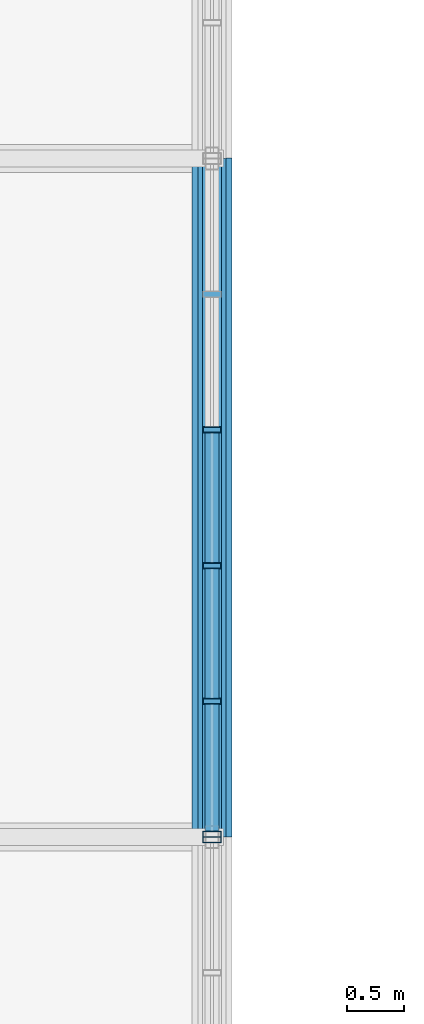
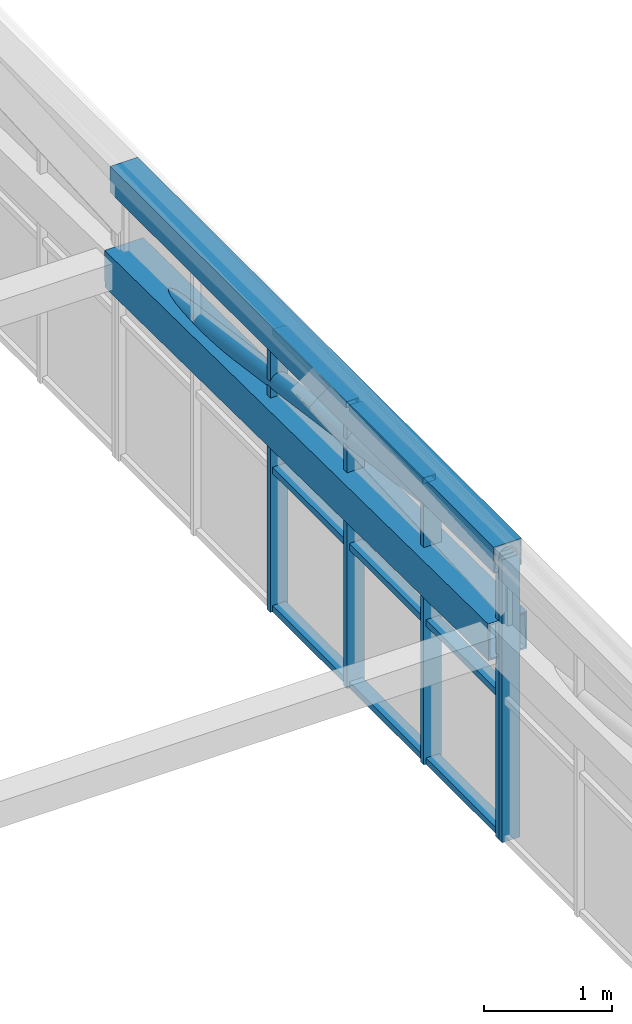
# One storey, part 234 of 324: 17 members, 2 elements without a shape of their own.
"""IFC4 building model written with IfcOpenShell, lengths in metres."""

from ifc_helpers import new_model, si_unit, direction, frame, origin, origin_2d, place, context, subcontext, project, spatial, hollow_rectangle, hollow_circle, extrude, material, layer, layer_set, material_profile, profile_set, type_object, element, aggregate, save


model = new_model("IFC4")

# Units and contexts
model_context = context("Model", 3, precision=1e-05, world=origin(), true_north=direction((0.0, 1.0)))
body_context = subcontext(model_context, "Body", "Model", "MODEL_VIEW")
ifc_project = project(units=[si_unit("LENGTHUNIT", "METRE"), si_unit("AREAUNIT", "SQUARE_METRE"), si_unit("VOLUMEUNIT", "CUBIC_METRE"), si_unit("PLANEANGLEUNIT", "RADIAN"), si_unit("MASSUNIT", "GRAM", prefix="KILO")], contexts=[model_context])

# Site, building, storey
site_placement = place(None, origin())
site = spatial("IfcSite", under=ifc_project, at=site_placement, CompositionType="ELEMENT")
building_placement = place(site_placement, origin())
building = spatial("IfcBuilding", under=site, at=building_placement, Name="Solvenia Promenade Tram Depot", CompositionType="ELEMENT")
storey_placement = place(building_placement, frame((0.0, 0.0, 4.5)))
storey = spatial("IfcBuildingStorey", under=building, at=storey_placement, Name="L01", CompositionType="ELEMENT", Elevation=4.5)

# Curtain wall, member
ifc_material_1 = material(Name="Anodized aluminium AW-6063 T6", Category="aluminium")
ifc_layer = layer(ifc_material_1, 0.159912109375, Name="Anodized aluminium AW-6063 T6", Category="aluminium")
ifc_layer_set = layer_set([ifc_layer], Name="Anodized aluminium AW-6063 T6")
curtain_wall_type = type_object("IfcCurtainWallType", Name="CW-Channel-1200", PredefinedType="NOTDEFINED", material=ifc_layer_set)
curtain_wall_1_placement = place(storey_placement, origin())
curtain_wall_1 = element("IfcCurtainWall", 1, at=curtain_wall_1_placement, inside=storey, type_object=curtain_wall_type, Name="Curtain Wall CW-V1E-07", PredefinedType="NOTDEFINED")
ifc_material_profile_1 = material_profile(ifc_material_1, hollow_rectangle(XDim=0.159912109375, YDim=0.052001953125, WallThickness=0.00390625, at=origin_2d()), Name="ALU-M1", Category="aluminium")
ifc_profile_set_1 = profile_set([ifc_material_profile_1], Name="Anodized aluminium AW-6063 T6")
member_type_1 = type_object("IfcMemberType", Name="CWM-Mullion-1", PredefinedType="MULLION", material=ifc_profile_set_1)
member_1_placement = place(storey_placement, frame((150.0, 107.97412109375, 0.699951171875), z_axis=(0.0, 0.0, 1.0), x_axis=(-1.0, 0.0, 0.0)))
member_1 = element("IfcMember", 2, at=member_1_placement, type_object=member_type_1, Name="CW-1 mullion 6", PredefinedType="MULLION", context=body_context, shape_type="SweptSolid", body=[
    extrude(hollow_rectangle(XDim=0.159912109375, YDim=0.052001953125, WallThickness=0.00390625, at=origin_2d()), origin(), (0.0, 0.0, 1.0), 2.699951171875),
])
aggregate(curtain_wall_1, [member_1])

# Curtain wall, members
curtain_wall_2_placement = place(storey_placement, origin())
curtain_wall_2 = element("IfcCurtainWall", 3, at=curtain_wall_2_placement, inside=storey, type_object=curtain_wall_type, Name="Curtain Wall CW-V1E-08", PredefinedType="NOTDEFINED")
member_2_placement = place(storey_placement, frame((150.0, 108.02587890625, 0.699951171875), z_axis=(0.0, 0.0, 1.0), x_axis=(-1.0, 0.0, 0.0)))
member_2 = element("IfcMember", 4, at=member_2_placement, type_object=member_type_1, Name="CW-1 mullion 1", PredefinedType="MULLION", context=body_context, shape_type="SweptSolid", body=[
    extrude(hollow_rectangle(XDim=0.159912109375, YDim=0.052001953125, WallThickness=0.00390625, at=origin_2d()), origin(), (0.0, 0.0, 1.0), 2.699951171875),
])
member_3_placement = place(storey_placement, frame((150.0, 109.199951171875, 0.699951171875), z_axis=(0.0, 0.0, 1.0), x_axis=(-1.0, 0.0, 0.0)))
member_3 = element("IfcMember", 5, at=member_3_placement, type_object=member_type_1, Name="CW-1 mullion 2", PredefinedType="MULLION", context=body_context, shape_type="SweptSolid", body=[
    extrude(hollow_rectangle(XDim=0.159912109375, YDim=0.052001953125, WallThickness=0.00390625, at=origin_2d()), origin(), (0.0, 0.0, 1.0), 2.699951171875),
])
member_4_placement = place(storey_placement, frame((150.0, 110.39990234375, 0.699951171875), z_axis=(0.0, 0.0, 1.0), x_axis=(-1.0, 0.0, 0.0)))
member_4 = element("IfcMember", 6, at=member_4_placement, type_object=member_type_1, Name="CW-1 mullion 3", PredefinedType="MULLION", context=body_context, shape_type="SweptSolid", body=[
    extrude(hollow_rectangle(XDim=0.159912109375, YDim=0.052001953125, WallThickness=0.00390625, at=origin_2d()), origin(), (0.0, 0.0, 1.0), 2.699951171875),
])
member_5_placement = place(storey_placement, frame((150.0, 111.60009765625, 0.699951171875), z_axis=(0.0, 0.0, 1.0), x_axis=(-1.0, 0.0, 0.0)))
member_5 = element("IfcMember", 7, at=member_5_placement, type_object=member_type_1, Name="CW-1 mullion 4", PredefinedType="MULLION", context=body_context, shape_type="SweptSolid", body=[
    extrude(hollow_rectangle(XDim=0.159912109375, YDim=0.052001953125, WallThickness=0.00390625, at=origin_2d()), origin(), (0.0, 0.0, 1.0), 2.699951171875),
])
ifc_material_profile_2 = material_profile(ifc_material_1, hollow_rectangle(XDim=0.1201171875, YDim=0.06005859375, WallThickness=0.00390625, at=origin_2d()), Name="ALU-T1", Category="aluminium")
ifc_profile_set_2 = profile_set([ifc_material_profile_2], Name="Anodized aluminium AW-6063 T6")
member_type_2 = type_object("IfcMemberType", Name="CWT-Transom-1", PredefinedType="USERDEFINED", material=ifc_profile_set_2)
member_6_placement = place(storey_placement, frame((150.0, 108.052001953125, 0.72998046875), z_axis=(0.0, 1.0, 0.0), x_axis=(-1.0, 0.0, 0.0)))
member_6 = element("IfcMember", 8, at=member_6_placement, type_object=member_type_2, Name="CW-1 transom 1.1", ObjectType="TRANSOM", PredefinedType="USERDEFINED", context=body_context, shape_type="SweptSolid", body=[
    extrude(hollow_rectangle(XDim=0.1201171875, YDim=0.06005859375, WallThickness=0.00390625, at=origin_2d()), origin(), (0.0, 0.0, 1.0), 1.1220703125),
])
member_7_placement = place(storey_placement, frame((150.0, 108.052001953125, 2.050048828125), z_axis=(0.0, 1.0, 0.0), x_axis=(-1.0, 0.0, 0.0)))
member_7 = element("IfcMember", 9, at=member_7_placement, type_object=member_type_2, Name="CW-1 transom 1.2", ObjectType="TRANSOM", PredefinedType="USERDEFINED", context=body_context, shape_type="SweptSolid", body=[
    extrude(hollow_rectangle(XDim=0.1201171875, YDim=0.06005859375, WallThickness=0.00390625, at=origin_2d()), origin(), (0.0, 0.0, 1.0), 1.1220703125),
])
member_8_placement = place(storey_placement, frame((150.0, 108.052001953125, 3.3701171875), z_axis=(0.0, 1.0, 0.0), x_axis=(-1.0, 0.0, 0.0)))
member_8 = element("IfcMember", 10, at=member_8_placement, type_object=member_type_2, Name="CW-1 transom 1.3", ObjectType="TRANSOM", PredefinedType="USERDEFINED", context=body_context, shape_type="SweptSolid", body=[
    extrude(hollow_rectangle(XDim=0.1201171875, YDim=0.06005859375, WallThickness=0.00390625, at=origin_2d()), origin(), (0.0, 0.0, 1.0), 1.1220703125),
])
member_9_placement = place(storey_placement, frame((150.0, 109.22607421875, 0.72998046875), z_axis=(0.0, 1.0, 0.0), x_axis=(-1.0, 0.0, 0.0)))
member_9 = element("IfcMember", 11, at=member_9_placement, type_object=member_type_2, Name="CW-1 transom 2.1", ObjectType="TRANSOM", PredefinedType="USERDEFINED", context=body_context, shape_type="SweptSolid", body=[
    extrude(hollow_rectangle(XDim=0.1201171875, YDim=0.06005859375, WallThickness=0.00390625, at=origin_2d()), origin(), (0.0, 0.0, 1.0), 1.14794921875),
])
member_10_placement = place(storey_placement, frame((150.0, 109.22607421875, 2.050048828125), z_axis=(0.0, 1.0, 0.0), x_axis=(-1.0, 0.0, 0.0)))
member_10 = element("IfcMember", 12, at=member_10_placement, type_object=member_type_2, Name="CW-1 transom 2.2", ObjectType="TRANSOM", PredefinedType="USERDEFINED", context=body_context, shape_type="SweptSolid", body=[
    extrude(hollow_rectangle(XDim=0.1201171875, YDim=0.06005859375, WallThickness=0.00390625, at=origin_2d()), origin(), (0.0, 0.0, 1.0), 1.14794921875),
])
member_11_placement = place(storey_placement, frame((150.0, 109.22607421875, 3.3701171875), z_axis=(0.0, 1.0, 0.0), x_axis=(-1.0, 0.0, 0.0)))
member_11 = element("IfcMember", 13, at=member_11_placement, type_object=member_type_2, Name="CW-1 transom 2.3", ObjectType="TRANSOM", PredefinedType="USERDEFINED", context=body_context, shape_type="SweptSolid", body=[
    extrude(hollow_rectangle(XDim=0.1201171875, YDim=0.06005859375, WallThickness=0.00390625, at=origin_2d()), origin(), (0.0, 0.0, 1.0), 1.14794921875),
])
member_12_placement = place(storey_placement, frame((150.0, 110.426025390625, 0.72998046875), z_axis=(0.0, 1.0, 0.0), x_axis=(-1.0, 0.0, 0.0)))
member_12 = element("IfcMember", 14, at=member_12_placement, type_object=member_type_2, Name="CW-1 transom 3.1", ObjectType="TRANSOM", PredefinedType="USERDEFINED", context=body_context, shape_type="SweptSolid", body=[
    extrude(hollow_rectangle(XDim=0.1201171875, YDim=0.06005859375, WallThickness=0.00390625, at=origin_2d()), origin(), (0.0, 0.0, 1.0), 1.14794921875),
])
member_13_placement = place(storey_placement, frame((150.0, 110.426025390625, 2.050048828125), z_axis=(0.0, 1.0, 0.0), x_axis=(-1.0, 0.0, 0.0)))
member_13 = element("IfcMember", 15, at=member_13_placement, type_object=member_type_2, Name="CW-1 transom 3.2", ObjectType="TRANSOM", PredefinedType="USERDEFINED", context=body_context, shape_type="SweptSolid", body=[
    extrude(hollow_rectangle(XDim=0.1201171875, YDim=0.06005859375, WallThickness=0.00390625, at=origin_2d()), origin(), (0.0, 0.0, 1.0), 1.14794921875),
])
member_14_placement = place(storey_placement, frame((150.0, 110.426025390625, 3.3701171875), z_axis=(0.0, 1.0, 0.0), x_axis=(-1.0, 0.0, 0.0)))
member_14 = element("IfcMember", 16, at=member_14_placement, type_object=member_type_2, Name="CW-1 transom 3.3", ObjectType="TRANSOM", PredefinedType="USERDEFINED", context=body_context, shape_type="SweptSolid", body=[
    extrude(hollow_rectangle(XDim=0.1201171875, YDim=0.06005859375, WallThickness=0.00390625, at=origin_2d()), origin(), (0.0, 0.0, 1.0), 1.14794921875),
])
aggregate(curtain_wall_2, [member_2, member_3, member_4, member_5, member_6, member_7, member_8, member_9, member_10, member_11, member_12, member_13, member_14])

# Members
ifc_material_2 = material(Name="Structural steel ASTM A500 Gr. C", Category="steel")
ifc_material_profile_3 = material_profile(ifc_material_2, hollow_rectangle(XDim=0.25, YDim=0.25, WallThickness=0.010009765625, at=origin_2d()), Name="HSS250x250x10", Category="steel")
ifc_profile_set_3 = profile_set([ifc_material_profile_3], Name="Structural steel ASTM A500 Gr. C")
member_type_3 = type_object("IfcMemberType", Name="Chord-HSS250x250x10", PredefinedType="CHORD", material=ifc_profile_set_3)
member_15_placement = place(storey_placement, frame((150.0, 108.0, 3.3798828125), z_axis=(0.0, 1.0, 0.0), x_axis=(-1.0, 0.0, 0.0)))
element("IfcMember", 17, at=member_15_placement, inside=storey, type_object=member_type_3, Name="Arched Truss T21 Upper Chord S08", PredefinedType="CHORD", context=body_context, shape_type="SweptSolid", body=[
    extrude(hollow_rectangle(XDim=0.25, YDim=0.25, WallThickness=0.010009765625, at=origin_2d()), origin(), (0.0, 0.0, 1.0), 6.0),
])
ifc_material_profile_4 = material_profile(ifc_material_2, hollow_rectangle(XDim=0.35009765625, YDim=0.35009765625, WallThickness=0.01611328125, at=origin_2d()), Name="HSS350x350x16", Category="steel")
ifc_profile_set_4 = profile_set([ifc_material_profile_4], Name="Structural steel ASTM A500 Gr. C")
member_type_4 = type_object("IfcMemberType", Name="Chord-HSS350x350x16", PredefinedType="CHORD", material=ifc_profile_set_4)
member_16_placement = place(storey_placement, frame((150.0, 108.0, 2.614013671875), z_axis=(0.0, 0.999931818432, -0.011677263667), x_axis=(-1.0, 0.0, 0.0)))
element("IfcMember", 18, at=member_16_placement, inside=storey, type_object=member_type_4, Name="Arched Truss T21 Bottom Chord S08", PredefinedType="CHORD", context=body_context, shape_type="SweptSolid", body=[
    extrude(hollow_rectangle(XDim=0.35009765625, YDim=0.35009765625, WallThickness=0.01611328125, at=origin_2d()), origin(), (0.0, 0.0, 1.0), 6.00048828125),
])
ifc_material_profile_5 = material_profile(ifc_material_2, hollow_circle(Radius=0.084228515625, WallThickness=0.008056640625, at=origin_2d()), Name="CHS168.3x8", Category="steel")
ifc_profile_set_5 = profile_set([ifc_material_profile_5], Name="Structural steel ASTM A500 Gr. C")
member_type_5 = type_object("IfcMemberType", Name="WebDiag-CHS168x8", PredefinedType="BRACE", material=ifc_profile_set_5)
member_17_placement = place(storey_placement, frame((150.0, 114.0, 2.5439453125), z_axis=(0.0, -0.990433608353, 0.13799009908), x_axis=(1.0, 0.0, 0.0)))
element("IfcMember", 19, at=member_17_placement, inside=storey, type_object=member_type_5, Name="Arched Truss T21 Web Diagonal S08", PredefinedType="BRACE", context=body_context, shape_type="SweptSolid", body=[
    extrude(hollow_circle(Radius=0.084228515625, WallThickness=0.008056640625, at=origin_2d()), origin(), (0.0, 0.0, 1.0), 6.057861328125),
])

save(model, "model.ifc")
